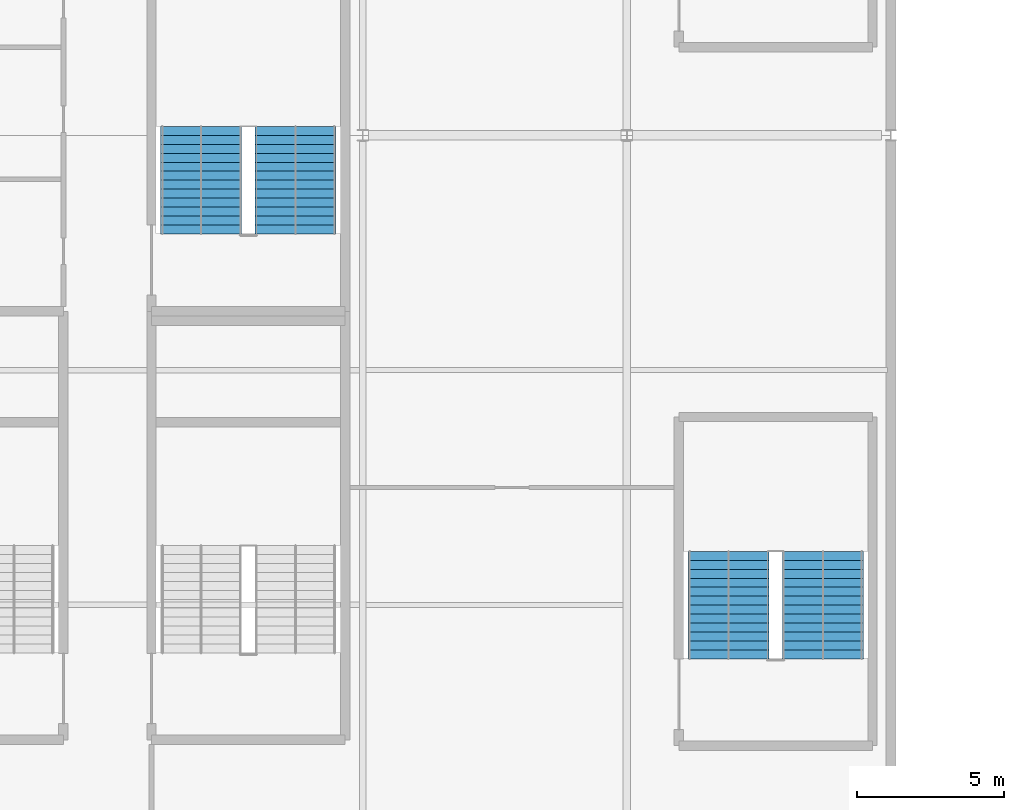
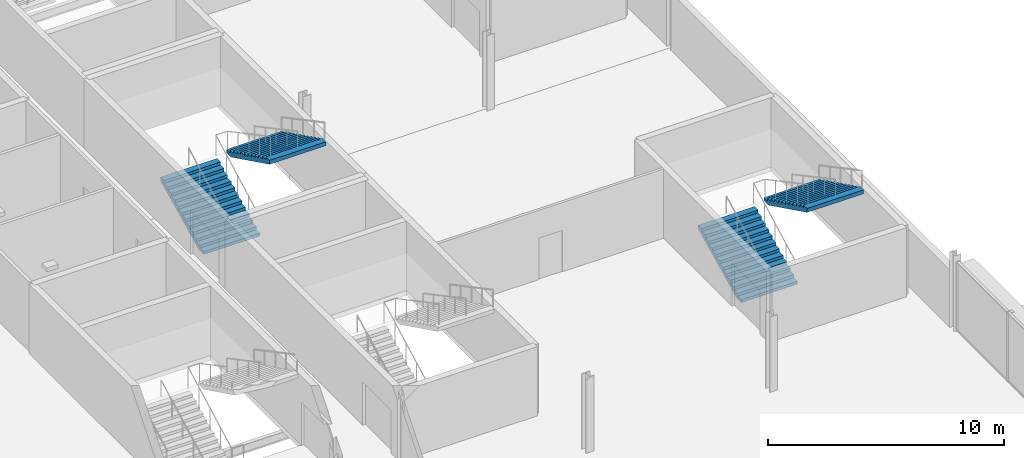
# One storey, part 90 of 105: 4 stair flights, 2 elements without a shape of their own.
"""IFC4 building model written with IfcOpenShell, lengths in metres."""

from ifc_helpers import new_model, si_unit, direction, frame, origin, place, context, subcontext, project, spatial, polygons, material, type_object, element, aggregate, save


model = new_model("IFC4")

# Units and contexts
model_context = context("Model", 3, precision=1e-05, world=origin(), true_north=direction((0.0, 1.0)))
body_context = subcontext(model_context, "Body", "Model", "MODEL_VIEW")
ifc_project = project(units=[si_unit("LENGTHUNIT", "METRE"), si_unit("AREAUNIT", "SQUARE_METRE"), si_unit("VOLUMEUNIT", "CUBIC_METRE"), si_unit("PLANEANGLEUNIT", "RADIAN"), si_unit("MASSUNIT", "GRAM", prefix="KILO")], contexts=[model_context])

# Site, building, storey
site_placement = place(None, origin())
site = spatial("IfcSite", under=ifc_project, at=site_placement, CompositionType="ELEMENT")
building_placement = place(site_placement, origin())
building = spatial("IfcBuilding", under=site, at=building_placement, Name="Kisiwana Market Hall", CompositionType="ELEMENT")
storey_placement = place(building_placement, frame((0.0, 0.0, 21.60009765625)))
storey = spatial("IfcBuildingStorey", under=building, at=storey_placement, Name="L04", CompositionType="ELEMENT", Elevation=21.60009765625)

# Stair, stair flights
ifc_material_1 = material(Name="Concrete C32/40", Category="concrete")
stair_type = type_object("IfcStairType", Name="ST-ESC-3900", PredefinedType="TWO_STRAIGHT_RUN_STAIR", material=ifc_material_1)
stair_1_placement = place(storey_placement, origin())
stair_1 = element("IfcStair", 1, at=stair_1_placement, inside=storey, type_object=stair_type, Name="Escape stair ST-W9-L04", PredefinedType="TWO_STRAIGHT_RUN_STAIR")
ifc_material_2 = material(Name="Concrete C32/40", Category="concrete")
stair_flight_type = type_object("IfcStairFlightType", Name="SF-ESC-3900", PredefinedType="STRAIGHT", material=ifc_material_2)
stair_flight_1_placement = place(storey_placement, frame((39.4599609375, 42.159912109375, 0.0), z_axis=(0.0, 0.0, 1.0), x_axis=(0.0, 1.0, 0.0)))
stair_flight_1 = element("IfcStairFlight", 2, at=stair_flight_1_placement, type_object=stair_flight_type, Name="ST-W9-L04 flight 1", NumberOfRisers=13, NumberOfTreads=12, PredefinedType="STRAIGHT", RiserHeight=0.15, TreadLength=0.305, context=body_context, shape_type="Tessellation", body=[
    polygons([(0.0, -1.380127, 0.0), (0.0, -0.690125, 0.0), (0.0, -0.000122, 0.0), (0.0, 0.68988, 0.0), (0.0, 1.379883, 0.0), (0.0, -1.380127, 0.149902), (0.0, -0.690125, 0.149902), (0.0, -0.000122, 0.149902), (0.0, 0.68988, 0.149902), (0.0, 1.379883, 0.149902), (0.304932, -1.380127, 0.149902), (0.304932, -0.690125, 0.149902), (0.304932, -0.000122, 0.149902), (0.304932, 0.68988, 0.149902), (0.304932, 1.379883, 0.149902), (0.304932, -1.380127, 0.300049), (0.304932, -0.690125, 0.300049), (0.304932, -0.000122, 0.300049), (0.304932, 0.68988, 0.300049), (0.304932, 1.379883, 0.300049), (0.610107, -1.380127, 0.300049), (0.610107, -0.690125, 0.300049), (0.610107, -0.000122, 0.300049), (0.610107, 0.68988, 0.300049), (0.610107, 1.379883, 0.300049), (0.610107, -1.380127, 0.449951), (0.610107, -0.690125, 0.449951), (0.610107, -0.000122, 0.449951), (0.610107, 0.68988, 0.449951), (0.610107, 1.379883, 0.449951), (0.915039, -1.380127, 0.449951), (0.915039, -0.690125, 0.449951), (0.915039, -0.000122, 0.449951), (0.915039, 0.68988, 0.449951), (0.915039, 1.379883, 0.449951), (0.915039, -1.380127, 0.600098), (0.915039, -0.690125, 0.600098), (0.915039, -0.000122, 0.600098), (0.915039, 0.68988, 0.600098), (0.915039, 1.379883, 0.600098), (1.219971, -1.380127, 0.600098), (1.219971, -0.690125, 0.600098), (1.219971, -0.000122, 0.600098), (1.219971, 0.68988, 0.600098), (1.219971, 1.379883, 0.600098), (1.219971, -1.380127, 0.75), (1.219971, -0.690125, 0.75), (1.219971, -0.000122, 0.75), (1.219971, 0.68988, 0.75), (1.219971, 1.379883, 0.75), (1.524902, -1.380127, 0.75), (1.524902, -0.690125, 0.75), (1.524902, -0.000122, 0.75), (1.524902, 0.68988, 0.75), (1.524902, 1.379883, 0.75), (1.524902, -1.380127, 0.899902), (1.524902, -0.690125, 0.899902), (1.524902, -0.000122, 0.899902), (1.524902, 0.68988, 0.899902), (1.524902, 1.379883, 0.899902), (1.830078, -1.380127, 0.899902), (1.830078, -0.690125, 0.899902), (1.830078, -0.000122, 0.899902), (1.830078, 0.68988, 0.899902), (1.830078, 1.379883, 0.899902), (1.830078, -1.380127, 1.050049), (1.830078, -0.690125, 1.050049), (1.830078, -0.000122, 1.050049), (1.830078, 0.68988, 1.050049), (1.830078, 1.379883, 1.050049), (2.13501, -1.380127, 1.050049), (2.13501, -0.690125, 1.050049), (2.13501, -0.000122, 1.050049), (2.13501, 0.68988, 1.050049), (2.13501, 1.379883, 1.050049), (2.13501, -1.380127, 1.199951), (2.13501, -0.690125, 1.199951), (2.13501, -0.000122, 1.199951), (2.13501, 0.68988, 1.199951), (2.13501, 1.379883, 1.199951), (2.439941, -1.380127, 1.199951), (2.439941, -0.690125, 1.199951), (2.439941, -0.000122, 1.199951), (2.439941, 0.68988, 1.199951), (2.439941, 1.379883, 1.199951), (2.439941, -1.380127, 1.350098), (2.439941, -0.690125, 1.350098), (2.439941, -0.000122, 1.350098), (2.439941, 0.68988, 1.350098), (2.439941, 1.379883, 1.350098), (2.745117, -1.380127, 1.350098), (2.745117, -0.690125, 1.350098), (2.745117, -0.000122, 1.350098), (2.745117, 0.68988, 1.350098), (2.745117, 1.379883, 1.350098), (2.745117, -1.380127, 1.5), (2.745117, -0.690125, 1.5), (2.745117, -0.000122, 1.5), (2.745117, 0.68988, 1.5), (2.745117, 1.379883, 1.5), (3.050049, -1.380127, 1.5), (3.050049, -0.690125, 1.5), (3.050049, -0.000122, 1.5), (3.050049, 0.68988, 1.5), (3.050049, 1.379883, 1.5), (3.050049, -1.380127, 1.649902), (3.050049, -0.690125, 1.649902), (3.050049, -0.000122, 1.649902), (3.050049, 0.68988, 1.649902), (3.050049, 1.379883, 1.649902), (3.35498, -1.380127, 1.649902), (3.35498, -0.690125, 1.649902), (3.35498, -0.000122, 1.649902), (3.35498, 0.68988, 1.649902), (3.35498, 1.379883, 1.649902), (3.35498, -1.380127, 1.800049), (3.35498, -0.690125, 1.800049), (3.35498, -0.000122, 1.800049), (3.35498, 0.68988, 1.800049), (3.35498, 1.379883, 1.800049), (3.659912, -1.380127, 1.800049), (3.659912, -0.690125, 1.800049), (3.659912, -0.000122, 1.800049), (3.659912, 0.68988, 1.800049), (3.659912, 1.379883, 1.800049), (3.659912, -1.380127, 1.599365), (3.659912, -0.690125, 1.599365), (3.659912, -0.000122, 1.599365), (3.659912, 0.68988, 1.599365), (3.659912, 1.379883, 1.599365), (0.407715, -1.380127, 0.0), (0.407715, -0.690125, 0.0), (0.407715, -0.000122, 0.0), (0.407715, 0.68988, 0.0), (0.407715, 1.379883, 0.0)], [[[1, 6, 7, 2]], [[2, 7, 8, 3]], [[3, 8, 9, 4]], [[4, 9, 10, 5]], [[6, 11, 12, 7]], [[7, 12, 13, 8]], [[8, 13, 14, 9]], [[9, 14, 15, 10]], [[11, 16, 17, 12]], [[12, 17, 18, 13]], [[13, 18, 19, 14]], [[14, 19, 20, 15]], [[16, 21, 22, 17]], [[17, 22, 23, 18]], [[18, 23, 24, 19]], [[19, 24, 25, 20]], [[21, 26, 27, 22]], [[22, 27, 28, 23]], [[23, 28, 29, 24]], [[24, 29, 30, 25]], [[26, 31, 32, 27]], [[27, 32, 33, 28]], [[28, 33, 34, 29]], [[29, 34, 35, 30]], [[31, 36, 37, 32]], [[32, 37, 38, 33]], [[33, 38, 39, 34]], [[34, 39, 40, 35]], [[36, 41, 42, 37]], [[37, 42, 43, 38]], [[38, 43, 44, 39]], [[39, 44, 45, 40]], [[41, 46, 47, 42]], [[42, 47, 48, 43]], [[43, 48, 49, 44]], [[44, 49, 50, 45]], [[46, 51, 52, 47]], [[47, 52, 53, 48]], [[48, 53, 54, 49]], [[49, 54, 55, 50]], [[51, 56, 57, 52]], [[52, 57, 58, 53]], [[53, 58, 59, 54]], [[54, 59, 60, 55]], [[56, 61, 62, 57]], [[57, 62, 63, 58]], [[58, 63, 64, 59]], [[59, 64, 65, 60]], [[61, 66, 67, 62]], [[62, 67, 68, 63]], [[63, 68, 69, 64]], [[64, 69, 70, 65]], [[66, 71, 72, 67]], [[67, 72, 73, 68]], [[68, 73, 74, 69]], [[69, 74, 75, 70]], [[71, 76, 77, 72]], [[72, 77, 78, 73]], [[73, 78, 79, 74]], [[74, 79, 80, 75]], [[76, 81, 82, 77]], [[77, 82, 83, 78]], [[78, 83, 84, 79]], [[79, 84, 85, 80]], [[81, 86, 87, 82]], [[82, 87, 88, 83]], [[83, 88, 89, 84]], [[84, 89, 90, 85]], [[86, 91, 92, 87]], [[87, 92, 93, 88]], [[88, 93, 94, 89]], [[89, 94, 95, 90]], [[91, 96, 97, 92]], [[92, 97, 98, 93]], [[93, 98, 99, 94]], [[94, 99, 100, 95]], [[96, 101, 102, 97]], [[97, 102, 103, 98]], [[98, 103, 104, 99]], [[99, 104, 105, 100]], [[101, 106, 107, 102]], [[102, 107, 108, 103]], [[103, 108, 109, 104]], [[104, 109, 110, 105]], [[106, 111, 112, 107]], [[107, 112, 113, 108]], [[108, 113, 114, 109]], [[109, 114, 115, 110]], [[111, 116, 117, 112]], [[112, 117, 118, 113]], [[113, 118, 119, 114]], [[114, 119, 120, 115]], [[116, 121, 122, 117]], [[117, 122, 123, 118]], [[118, 123, 124, 119]], [[119, 124, 125, 120]], [[121, 126, 127, 122]], [[122, 127, 128, 123]], [[123, 128, 129, 124]], [[124, 129, 130, 125]], [[126, 131, 132, 127]], [[127, 132, 133, 128]], [[128, 133, 134, 129]], [[129, 134, 135, 130]], [[131, 1, 2, 132]], [[132, 2, 3, 133]], [[133, 3, 4, 134]], [[134, 4, 5, 135]], [[131, 126, 121, 116, 111, 106, 101, 96, 91, 86, 81, 76, 71, 66, 61, 56, 51, 46, 41, 36, 31, 26, 21, 16, 11, 6, 1]], [[5, 10, 15, 20, 25, 30, 35, 40, 45, 50, 55, 60, 65, 70, 75, 80, 85, 90, 95, 100, 105, 110, 115, 120, 125, 130, 135]]], closed=True),
])
stair_flight_2_placement = place(storey_placement, frame((42.679931640625, 45.820068359375, 1.949951171875), z_axis=(0.0, 0.0, 1.0), x_axis=(0.0, -1.0, 0.0)))
stair_flight_2 = element("IfcStairFlight", 3, at=stair_flight_2_placement, type_object=stair_flight_type, Name="ST-W9-L04 flight 2", NumberOfRisers=13, NumberOfTreads=12, PredefinedType="STRAIGHT", RiserHeight=0.15, TreadLength=0.305, context=body_context, shape_type="Tessellation", body=[
    polygons([(0.0, -1.380127, 0.0), (0.0, -0.690125, 0.0), (0.0, -0.000122, 0.0), (0.0, 0.68988, 0.0), (0.0, 1.379883, 0.0), (0.0, -1.380127, 0.149902), (0.0, -0.690125, 0.149902), (0.0, -0.000122, 0.149902), (0.0, 0.68988, 0.149902), (0.0, 1.379883, 0.149902), (0.304932, -1.380127, 0.149902), (0.304932, -0.690125, 0.149902), (0.304932, -0.000122, 0.149902), (0.304932, 0.68988, 0.149902), (0.304932, 1.379883, 0.149902), (0.304932, -1.380127, 0.300049), (0.304932, -0.690125, 0.300049), (0.304932, -0.000122, 0.300049), (0.304932, 0.68988, 0.300049), (0.304932, 1.379883, 0.300049), (0.610107, -1.380127, 0.300049), (0.610107, -0.690125, 0.300049), (0.610107, -0.000122, 0.300049), (0.610107, 0.68988, 0.300049), (0.610107, 1.379883, 0.300049), (0.610107, -1.380127, 0.449951), (0.610107, -0.690125, 0.449951), (0.610107, -0.000122, 0.449951), (0.610107, 0.68988, 0.449951), (0.610107, 1.379883, 0.449951), (0.915039, -1.380127, 0.449951), (0.915039, -0.690125, 0.449951), (0.915039, -0.000122, 0.449951), (0.915039, 0.68988, 0.449951), (0.915039, 1.379883, 0.449951), (0.915039, -1.380127, 0.600098), (0.915039, -0.690125, 0.600098), (0.915039, -0.000122, 0.600098), (0.915039, 0.68988, 0.600098), (0.915039, 1.379883, 0.600098), (1.219971, -1.380127, 0.600098), (1.219971, -0.690125, 0.600098), (1.219971, -0.000122, 0.600098), (1.219971, 0.68988, 0.600098), (1.219971, 1.379883, 0.600098), (1.219971, -1.380127, 0.75), (1.219971, -0.690125, 0.75), (1.219971, -0.000122, 0.75), (1.219971, 0.68988, 0.75), (1.219971, 1.379883, 0.75), (1.524902, -1.380127, 0.75), (1.524902, -0.690125, 0.75), (1.524902, -0.000122, 0.75), (1.524902, 0.68988, 0.75), (1.524902, 1.379883, 0.75), (1.524902, -1.380127, 0.899902), (1.524902, -0.690125, 0.899902), (1.524902, -0.000122, 0.899902), (1.524902, 0.68988, 0.899902), (1.524902, 1.379883, 0.899902), (1.830078, -1.380127, 0.899902), (1.830078, -0.690125, 0.899902), (1.830078, -0.000122, 0.899902), (1.830078, 0.68988, 0.899902), (1.830078, 1.379883, 0.899902), (1.830078, -1.380127, 1.050049), (1.830078, -0.690125, 1.050049), (1.830078, -0.000122, 1.050049), (1.830078, 0.68988, 1.050049), (1.830078, 1.379883, 1.050049), (2.13501, -1.380127, 1.050049), (2.13501, -0.690125, 1.050049), (2.13501, -0.000122, 1.050049), (2.13501, 0.68988, 1.050049), (2.13501, 1.379883, 1.050049), (2.13501, -1.380127, 1.199951), (2.13501, -0.690125, 1.199951), (2.13501, -0.000122, 1.199951), (2.13501, 0.68988, 1.199951), (2.13501, 1.379883, 1.199951), (2.439941, -1.380127, 1.199951), (2.439941, -0.690125, 1.199951), (2.439941, -0.000122, 1.199951), (2.439941, 0.68988, 1.199951), (2.439941, 1.379883, 1.199951), (2.439941, -1.380127, 1.350098), (2.439941, -0.690125, 1.350098), (2.439941, -0.000122, 1.350098), (2.439941, 0.68988, 1.350098), (2.439941, 1.379883, 1.350098), (2.745117, -1.380127, 1.350098), (2.745117, -0.690125, 1.350098), (2.745117, -0.000122, 1.350098), (2.745117, 0.68988, 1.350098), (2.745117, 1.379883, 1.350098), (2.745117, -1.380127, 1.5), (2.745117, -0.690125, 1.5), (2.745117, -0.000122, 1.5), (2.745117, 0.68988, 1.5), (2.745117, 1.379883, 1.5), (3.050049, -1.380127, 1.5), (3.050049, -0.690125, 1.5), (3.050049, -0.000122, 1.5), (3.050049, 0.68988, 1.5), (3.050049, 1.379883, 1.5), (3.050049, -1.380127, 1.649902), (3.050049, -0.690125, 1.649902), (3.050049, -0.000122, 1.649902), (3.050049, 0.68988, 1.649902), (3.050049, 1.379883, 1.649902), (3.35498, -1.380127, 1.649902), (3.35498, -0.690125, 1.649902), (3.35498, -0.000122, 1.649902), (3.35498, 0.68988, 1.649902), (3.35498, 1.379883, 1.649902), (3.35498, -1.380127, 1.800049), (3.35498, -0.690125, 1.800049), (3.35498, -0.000122, 1.800049), (3.35498, 0.68988, 1.800049), (3.35498, 1.379883, 1.800049), (3.659912, -1.380127, 1.800049), (3.659912, -0.690125, 1.800049), (3.659912, -0.000122, 1.800049), (3.659912, 0.68988, 1.800049), (3.659912, 1.379883, 1.800049), (3.659912, -1.380127, 1.599365), (3.659912, -0.690125, 1.599365), (3.659912, -0.000122, 1.599365), (3.659912, 0.68988, 1.599365), (3.659912, 1.379883, 1.599365), (0.407715, -1.380127, 0.0), (0.407715, -0.690125, 0.0), (0.407715, -0.000122, 0.0), (0.407715, 0.68988, 0.0), (0.407715, 1.379883, 0.0)], [[[1, 6, 7, 2]], [[2, 7, 8, 3]], [[3, 8, 9, 4]], [[4, 9, 10, 5]], [[6, 11, 12, 7]], [[7, 12, 13, 8]], [[8, 13, 14, 9]], [[9, 14, 15, 10]], [[11, 16, 17, 12]], [[12, 17, 18, 13]], [[13, 18, 19, 14]], [[14, 19, 20, 15]], [[16, 21, 22, 17]], [[17, 22, 23, 18]], [[18, 23, 24, 19]], [[19, 24, 25, 20]], [[21, 26, 27, 22]], [[22, 27, 28, 23]], [[23, 28, 29, 24]], [[24, 29, 30, 25]], [[26, 31, 32, 27]], [[27, 32, 33, 28]], [[28, 33, 34, 29]], [[29, 34, 35, 30]], [[31, 36, 37, 32]], [[32, 37, 38, 33]], [[33, 38, 39, 34]], [[34, 39, 40, 35]], [[36, 41, 42, 37]], [[37, 42, 43, 38]], [[38, 43, 44, 39]], [[39, 44, 45, 40]], [[41, 46, 47, 42]], [[42, 47, 48, 43]], [[43, 48, 49, 44]], [[44, 49, 50, 45]], [[46, 51, 52, 47]], [[47, 52, 53, 48]], [[48, 53, 54, 49]], [[49, 54, 55, 50]], [[51, 56, 57, 52]], [[52, 57, 58, 53]], [[53, 58, 59, 54]], [[54, 59, 60, 55]], [[56, 61, 62, 57]], [[57, 62, 63, 58]], [[58, 63, 64, 59]], [[59, 64, 65, 60]], [[61, 66, 67, 62]], [[62, 67, 68, 63]], [[63, 68, 69, 64]], [[64, 69, 70, 65]], [[66, 71, 72, 67]], [[67, 72, 73, 68]], [[68, 73, 74, 69]], [[69, 74, 75, 70]], [[71, 76, 77, 72]], [[72, 77, 78, 73]], [[73, 78, 79, 74]], [[74, 79, 80, 75]], [[76, 81, 82, 77]], [[77, 82, 83, 78]], [[78, 83, 84, 79]], [[79, 84, 85, 80]], [[81, 86, 87, 82]], [[82, 87, 88, 83]], [[83, 88, 89, 84]], [[84, 89, 90, 85]], [[86, 91, 92, 87]], [[87, 92, 93, 88]], [[88, 93, 94, 89]], [[89, 94, 95, 90]], [[91, 96, 97, 92]], [[92, 97, 98, 93]], [[93, 98, 99, 94]], [[94, 99, 100, 95]], [[96, 101, 102, 97]], [[97, 102, 103, 98]], [[98, 103, 104, 99]], [[99, 104, 105, 100]], [[101, 106, 107, 102]], [[102, 107, 108, 103]], [[103, 108, 109, 104]], [[104, 109, 110, 105]], [[106, 111, 112, 107]], [[107, 112, 113, 108]], [[108, 113, 114, 109]], [[109, 114, 115, 110]], [[111, 116, 117, 112]], [[112, 117, 118, 113]], [[113, 118, 119, 114]], [[114, 119, 120, 115]], [[116, 121, 122, 117]], [[117, 122, 123, 118]], [[118, 123, 124, 119]], [[119, 124, 125, 120]], [[121, 126, 127, 122]], [[122, 127, 128, 123]], [[123, 128, 129, 124]], [[124, 129, 130, 125]], [[126, 131, 132, 127]], [[127, 132, 133, 128]], [[128, 133, 134, 129]], [[129, 134, 135, 130]], [[131, 1, 2, 132]], [[132, 2, 3, 133]], [[133, 3, 4, 134]], [[134, 4, 5, 135]], [[131, 126, 121, 116, 111, 106, 101, 96, 91, 86, 81, 76, 71, 66, 61, 56, 51, 46, 41, 36, 31, 26, 21, 16, 11, 6, 1]], [[5, 10, 15, 20, 25, 30, 35, 40, 45, 50, 55, 60, 65, 70, 75, 80, 85, 90, 95, 100, 105, 110, 115, 120, 125, 130, 135]]], closed=True),
])
aggregate(stair_1, [stair_flight_1, stair_flight_2])

stair_2_placement = place(storey_placement, origin())
stair_2 = element("IfcStair", 4, at=stair_2_placement, inside=storey, type_object=stair_type, Name="Escape stair ST-W5-L04", PredefinedType="TWO_STRAIGHT_RUN_STAIR")
stair_flight_3_placement = place(storey_placement, frame((21.489990234375, 56.639892578125, 0.0), z_axis=(0.0, 0.0, 1.0), x_axis=(0.0, 1.0, 0.0)))
stair_flight_3 = element("IfcStairFlight", 5, at=stair_flight_3_placement, type_object=stair_flight_type, Name="ST-W5-L04 flight 1", NumberOfRisers=13, NumberOfTreads=12, PredefinedType="STRAIGHT", RiserHeight=0.15, TreadLength=0.305, context=body_context, shape_type="Tessellation", body=[
    polygons([(0.0, -1.380127, 0.0), (0.0, -0.690125, 0.0), (0.0, -0.000122, 0.0), (0.0, 0.68988, 0.0), (0.0, 1.379883, 0.0), (0.0, -1.380127, 0.149902), (0.0, -0.690125, 0.149902), (0.0, -0.000122, 0.149902), (0.0, 0.68988, 0.149902), (0.0, 1.379883, 0.149902), (0.304932, -1.380127, 0.149902), (0.304932, -0.690125, 0.149902), (0.304932, -0.000122, 0.149902), (0.304932, 0.68988, 0.149902), (0.304932, 1.379883, 0.149902), (0.304932, -1.380127, 0.300049), (0.304932, -0.690125, 0.300049), (0.304932, -0.000122, 0.300049), (0.304932, 0.68988, 0.300049), (0.304932, 1.379883, 0.300049), (0.610107, -1.380127, 0.300049), (0.610107, -0.690125, 0.300049), (0.610107, -0.000122, 0.300049), (0.610107, 0.68988, 0.300049), (0.610107, 1.379883, 0.300049), (0.610107, -1.380127, 0.449951), (0.610107, -0.690125, 0.449951), (0.610107, -0.000122, 0.449951), (0.610107, 0.68988, 0.449951), (0.610107, 1.379883, 0.449951), (0.915039, -1.380127, 0.449951), (0.915039, -0.690125, 0.449951), (0.915039, -0.000122, 0.449951), (0.915039, 0.68988, 0.449951), (0.915039, 1.379883, 0.449951), (0.915039, -1.380127, 0.600098), (0.915039, -0.690125, 0.600098), (0.915039, -0.000122, 0.600098), (0.915039, 0.68988, 0.600098), (0.915039, 1.379883, 0.600098), (1.219971, -1.380127, 0.600098), (1.219971, -0.690125, 0.600098), (1.219971, -0.000122, 0.600098), (1.219971, 0.68988, 0.600098), (1.219971, 1.379883, 0.600098), (1.219971, -1.380127, 0.75), (1.219971, -0.690125, 0.75), (1.219971, -0.000122, 0.75), (1.219971, 0.68988, 0.75), (1.219971, 1.379883, 0.75), (1.524902, -1.380127, 0.75), (1.524902, -0.690125, 0.75), (1.524902, -0.000122, 0.75), (1.524902, 0.68988, 0.75), (1.524902, 1.379883, 0.75), (1.524902, -1.380127, 0.899902), (1.524902, -0.690125, 0.899902), (1.524902, -0.000122, 0.899902), (1.524902, 0.68988, 0.899902), (1.524902, 1.379883, 0.899902), (1.830078, -1.380127, 0.899902), (1.830078, -0.690125, 0.899902), (1.830078, -0.000122, 0.899902), (1.830078, 0.68988, 0.899902), (1.830078, 1.379883, 0.899902), (1.830078, -1.380127, 1.050049), (1.830078, -0.690125, 1.050049), (1.830078, -0.000122, 1.050049), (1.830078, 0.68988, 1.050049), (1.830078, 1.379883, 1.050049), (2.13501, -1.380127, 1.050049), (2.13501, -0.690125, 1.050049), (2.13501, -0.000122, 1.050049), (2.13501, 0.68988, 1.050049), (2.13501, 1.379883, 1.050049), (2.13501, -1.380127, 1.199951), (2.13501, -0.690125, 1.199951), (2.13501, -0.000122, 1.199951), (2.13501, 0.68988, 1.199951), (2.13501, 1.379883, 1.199951), (2.439941, -1.380127, 1.199951), (2.439941, -0.690125, 1.199951), (2.439941, -0.000122, 1.199951), (2.439941, 0.68988, 1.199951), (2.439941, 1.379883, 1.199951), (2.439941, -1.380127, 1.350098), (2.439941, -0.690125, 1.350098), (2.439941, -0.000122, 1.350098), (2.439941, 0.68988, 1.350098), (2.439941, 1.379883, 1.350098), (2.745117, -1.380127, 1.350098), (2.745117, -0.690125, 1.350098), (2.745117, -0.000122, 1.350098), (2.745117, 0.68988, 1.350098), (2.745117, 1.379883, 1.350098), (2.745117, -1.380127, 1.5), (2.745117, -0.690125, 1.5), (2.745117, -0.000122, 1.5), (2.745117, 0.68988, 1.5), (2.745117, 1.379883, 1.5), (3.050049, -1.380127, 1.5), (3.050049, -0.690125, 1.5), (3.050049, -0.000122, 1.5), (3.050049, 0.68988, 1.5), (3.050049, 1.379883, 1.5), (3.050049, -1.380127, 1.649902), (3.050049, -0.690125, 1.649902), (3.050049, -0.000122, 1.649902), (3.050049, 0.68988, 1.649902), (3.050049, 1.379883, 1.649902), (3.35498, -1.380127, 1.649902), (3.35498, -0.690125, 1.649902), (3.35498, -0.000122, 1.649902), (3.35498, 0.68988, 1.649902), (3.35498, 1.379883, 1.649902), (3.35498, -1.380127, 1.800049), (3.35498, -0.690125, 1.800049), (3.35498, -0.000122, 1.800049), (3.35498, 0.68988, 1.800049), (3.35498, 1.379883, 1.800049), (3.659912, -1.380127, 1.800049), (3.659912, -0.690125, 1.800049), (3.659912, -0.000122, 1.800049), (3.659912, 0.68988, 1.800049), (3.659912, 1.379883, 1.800049), (3.659912, -1.380127, 1.599365), (3.659912, -0.690125, 1.599365), (3.659912, -0.000122, 1.599365), (3.659912, 0.68988, 1.599365), (3.659912, 1.379883, 1.599365), (0.407715, -1.380127, 0.0), (0.407715, -0.690125, 0.0), (0.407715, -0.000122, 0.0), (0.407715, 0.68988, 0.0), (0.407715, 1.379883, 0.0)], [[[1, 6, 7, 2]], [[2, 7, 8, 3]], [[3, 8, 9, 4]], [[4, 9, 10, 5]], [[6, 11, 12, 7]], [[7, 12, 13, 8]], [[8, 13, 14, 9]], [[9, 14, 15, 10]], [[11, 16, 17, 12]], [[12, 17, 18, 13]], [[13, 18, 19, 14]], [[14, 19, 20, 15]], [[16, 21, 22, 17]], [[17, 22, 23, 18]], [[18, 23, 24, 19]], [[19, 24, 25, 20]], [[21, 26, 27, 22]], [[22, 27, 28, 23]], [[23, 28, 29, 24]], [[24, 29, 30, 25]], [[26, 31, 32, 27]], [[27, 32, 33, 28]], [[28, 33, 34, 29]], [[29, 34, 35, 30]], [[31, 36, 37, 32]], [[32, 37, 38, 33]], [[33, 38, 39, 34]], [[34, 39, 40, 35]], [[36, 41, 42, 37]], [[37, 42, 43, 38]], [[38, 43, 44, 39]], [[39, 44, 45, 40]], [[41, 46, 47, 42]], [[42, 47, 48, 43]], [[43, 48, 49, 44]], [[44, 49, 50, 45]], [[46, 51, 52, 47]], [[47, 52, 53, 48]], [[48, 53, 54, 49]], [[49, 54, 55, 50]], [[51, 56, 57, 52]], [[52, 57, 58, 53]], [[53, 58, 59, 54]], [[54, 59, 60, 55]], [[56, 61, 62, 57]], [[57, 62, 63, 58]], [[58, 63, 64, 59]], [[59, 64, 65, 60]], [[61, 66, 67, 62]], [[62, 67, 68, 63]], [[63, 68, 69, 64]], [[64, 69, 70, 65]], [[66, 71, 72, 67]], [[67, 72, 73, 68]], [[68, 73, 74, 69]], [[69, 74, 75, 70]], [[71, 76, 77, 72]], [[72, 77, 78, 73]], [[73, 78, 79, 74]], [[74, 79, 80, 75]], [[76, 81, 82, 77]], [[77, 82, 83, 78]], [[78, 83, 84, 79]], [[79, 84, 85, 80]], [[81, 86, 87, 82]], [[82, 87, 88, 83]], [[83, 88, 89, 84]], [[84, 89, 90, 85]], [[86, 91, 92, 87]], [[87, 92, 93, 88]], [[88, 93, 94, 89]], [[89, 94, 95, 90]], [[91, 96, 97, 92]], [[92, 97, 98, 93]], [[93, 98, 99, 94]], [[94, 99, 100, 95]], [[96, 101, 102, 97]], [[97, 102, 103, 98]], [[98, 103, 104, 99]], [[99, 104, 105, 100]], [[101, 106, 107, 102]], [[102, 107, 108, 103]], [[103, 108, 109, 104]], [[104, 109, 110, 105]], [[106, 111, 112, 107]], [[107, 112, 113, 108]], [[108, 113, 114, 109]], [[109, 114, 115, 110]], [[111, 116, 117, 112]], [[112, 117, 118, 113]], [[113, 118, 119, 114]], [[114, 119, 120, 115]], [[116, 121, 122, 117]], [[117, 122, 123, 118]], [[118, 123, 124, 119]], [[119, 124, 125, 120]], [[121, 126, 127, 122]], [[122, 127, 128, 123]], [[123, 128, 129, 124]], [[124, 129, 130, 125]], [[126, 131, 132, 127]], [[127, 132, 133, 128]], [[128, 133, 134, 129]], [[129, 134, 135, 130]], [[131, 1, 2, 132]], [[132, 2, 3, 133]], [[133, 3, 4, 134]], [[134, 4, 5, 135]], [[131, 126, 121, 116, 111, 106, 101, 96, 91, 86, 81, 76, 71, 66, 61, 56, 51, 46, 41, 36, 31, 26, 21, 16, 11, 6, 1]], [[5, 10, 15, 20, 25, 30, 35, 40, 45, 50, 55, 60, 65, 70, 75, 80, 85, 90, 95, 100, 105, 110, 115, 120, 125, 130, 135]]], closed=True),
])
stair_flight_4_placement = place(storey_placement, frame((24.7099609375, 60.300048828125, 1.949951171875), z_axis=(0.0, 0.0, 1.0), x_axis=(0.0, -1.0, 0.0)))
stair_flight_4 = element("IfcStairFlight", 6, at=stair_flight_4_placement, type_object=stair_flight_type, Name="ST-W5-L04 flight 2", NumberOfRisers=13, NumberOfTreads=12, PredefinedType="STRAIGHT", RiserHeight=0.15, TreadLength=0.305, context=body_context, shape_type="Tessellation", body=[
    polygons([(0.0, -1.380127, 0.0), (0.0, -0.690125, 0.0), (0.0, -0.000122, 0.0), (0.0, 0.68988, 0.0), (0.0, 1.379883, 0.0), (0.0, -1.380127, 0.149902), (0.0, -0.690125, 0.149902), (0.0, -0.000122, 0.149902), (0.0, 0.68988, 0.149902), (0.0, 1.379883, 0.149902), (0.304932, -1.380127, 0.149902), (0.304932, -0.690125, 0.149902), (0.304932, -0.000122, 0.149902), (0.304932, 0.68988, 0.149902), (0.304932, 1.379883, 0.149902), (0.304932, -1.380127, 0.300049), (0.304932, -0.690125, 0.300049), (0.304932, -0.000122, 0.300049), (0.304932, 0.68988, 0.300049), (0.304932, 1.379883, 0.300049), (0.610107, -1.380127, 0.300049), (0.610107, -0.690125, 0.300049), (0.610107, -0.000122, 0.300049), (0.610107, 0.68988, 0.300049), (0.610107, 1.379883, 0.300049), (0.610107, -1.380127, 0.449951), (0.610107, -0.690125, 0.449951), (0.610107, -0.000122, 0.449951), (0.610107, 0.68988, 0.449951), (0.610107, 1.379883, 0.449951), (0.915039, -1.380127, 0.449951), (0.915039, -0.690125, 0.449951), (0.915039, -0.000122, 0.449951), (0.915039, 0.68988, 0.449951), (0.915039, 1.379883, 0.449951), (0.915039, -1.380127, 0.600098), (0.915039, -0.690125, 0.600098), (0.915039, -0.000122, 0.600098), (0.915039, 0.68988, 0.600098), (0.915039, 1.379883, 0.600098), (1.219971, -1.380127, 0.600098), (1.219971, -0.690125, 0.600098), (1.219971, -0.000122, 0.600098), (1.219971, 0.68988, 0.600098), (1.219971, 1.379883, 0.600098), (1.219971, -1.380127, 0.75), (1.219971, -0.690125, 0.75), (1.219971, -0.000122, 0.75), (1.219971, 0.68988, 0.75), (1.219971, 1.379883, 0.75), (1.524902, -1.380127, 0.75), (1.524902, -0.690125, 0.75), (1.524902, -0.000122, 0.75), (1.524902, 0.68988, 0.75), (1.524902, 1.379883, 0.75), (1.524902, -1.380127, 0.899902), (1.524902, -0.690125, 0.899902), (1.524902, -0.000122, 0.899902), (1.524902, 0.68988, 0.899902), (1.524902, 1.379883, 0.899902), (1.830078, -1.380127, 0.899902), (1.830078, -0.690125, 0.899902), (1.830078, -0.000122, 0.899902), (1.830078, 0.68988, 0.899902), (1.830078, 1.379883, 0.899902), (1.830078, -1.380127, 1.050049), (1.830078, -0.690125, 1.050049), (1.830078, -0.000122, 1.050049), (1.830078, 0.68988, 1.050049), (1.830078, 1.379883, 1.050049), (2.13501, -1.380127, 1.050049), (2.13501, -0.690125, 1.050049), (2.13501, -0.000122, 1.050049), (2.13501, 0.68988, 1.050049), (2.13501, 1.379883, 1.050049), (2.13501, -1.380127, 1.199951), (2.13501, -0.690125, 1.199951), (2.13501, -0.000122, 1.199951), (2.13501, 0.68988, 1.199951), (2.13501, 1.379883, 1.199951), (2.439941, -1.380127, 1.199951), (2.439941, -0.690125, 1.199951), (2.439941, -0.000122, 1.199951), (2.439941, 0.68988, 1.199951), (2.439941, 1.379883, 1.199951), (2.439941, -1.380127, 1.350098), (2.439941, -0.690125, 1.350098), (2.439941, -0.000122, 1.350098), (2.439941, 0.68988, 1.350098), (2.439941, 1.379883, 1.350098), (2.745117, -1.380127, 1.350098), (2.745117, -0.690125, 1.350098), (2.745117, -0.000122, 1.350098), (2.745117, 0.68988, 1.350098), (2.745117, 1.379883, 1.350098), (2.745117, -1.380127, 1.5), (2.745117, -0.690125, 1.5), (2.745117, -0.000122, 1.5), (2.745117, 0.68988, 1.5), (2.745117, 1.379883, 1.5), (3.050049, -1.380127, 1.5), (3.050049, -0.690125, 1.5), (3.050049, -0.000122, 1.5), (3.050049, 0.68988, 1.5), (3.050049, 1.379883, 1.5), (3.050049, -1.380127, 1.649902), (3.050049, -0.690125, 1.649902), (3.050049, -0.000122, 1.649902), (3.050049, 0.68988, 1.649902), (3.050049, 1.379883, 1.649902), (3.35498, -1.380127, 1.649902), (3.35498, -0.690125, 1.649902), (3.35498, -0.000122, 1.649902), (3.35498, 0.68988, 1.649902), (3.35498, 1.379883, 1.649902), (3.35498, -1.380127, 1.800049), (3.35498, -0.690125, 1.800049), (3.35498, -0.000122, 1.800049), (3.35498, 0.68988, 1.800049), (3.35498, 1.379883, 1.800049), (3.659912, -1.380127, 1.800049), (3.659912, -0.690125, 1.800049), (3.659912, -0.000122, 1.800049), (3.659912, 0.68988, 1.800049), (3.659912, 1.379883, 1.800049), (3.659912, -1.380127, 1.599365), (3.659912, -0.690125, 1.599365), (3.659912, -0.000122, 1.599365), (3.659912, 0.68988, 1.599365), (3.659912, 1.379883, 1.599365), (0.407715, -1.380127, 0.0), (0.407715, -0.690125, 0.0), (0.407715, -0.000122, 0.0), (0.407715, 0.68988, 0.0), (0.407715, 1.379883, 0.0)], [[[1, 6, 7, 2]], [[2, 7, 8, 3]], [[3, 8, 9, 4]], [[4, 9, 10, 5]], [[6, 11, 12, 7]], [[7, 12, 13, 8]], [[8, 13, 14, 9]], [[9, 14, 15, 10]], [[11, 16, 17, 12]], [[12, 17, 18, 13]], [[13, 18, 19, 14]], [[14, 19, 20, 15]], [[16, 21, 22, 17]], [[17, 22, 23, 18]], [[18, 23, 24, 19]], [[19, 24, 25, 20]], [[21, 26, 27, 22]], [[22, 27, 28, 23]], [[23, 28, 29, 24]], [[24, 29, 30, 25]], [[26, 31, 32, 27]], [[27, 32, 33, 28]], [[28, 33, 34, 29]], [[29, 34, 35, 30]], [[31, 36, 37, 32]], [[32, 37, 38, 33]], [[33, 38, 39, 34]], [[34, 39, 40, 35]], [[36, 41, 42, 37]], [[37, 42, 43, 38]], [[38, 43, 44, 39]], [[39, 44, 45, 40]], [[41, 46, 47, 42]], [[42, 47, 48, 43]], [[43, 48, 49, 44]], [[44, 49, 50, 45]], [[46, 51, 52, 47]], [[47, 52, 53, 48]], [[48, 53, 54, 49]], [[49, 54, 55, 50]], [[51, 56, 57, 52]], [[52, 57, 58, 53]], [[53, 58, 59, 54]], [[54, 59, 60, 55]], [[56, 61, 62, 57]], [[57, 62, 63, 58]], [[58, 63, 64, 59]], [[59, 64, 65, 60]], [[61, 66, 67, 62]], [[62, 67, 68, 63]], [[63, 68, 69, 64]], [[64, 69, 70, 65]], [[66, 71, 72, 67]], [[67, 72, 73, 68]], [[68, 73, 74, 69]], [[69, 74, 75, 70]], [[71, 76, 77, 72]], [[72, 77, 78, 73]], [[73, 78, 79, 74]], [[74, 79, 80, 75]], [[76, 81, 82, 77]], [[77, 82, 83, 78]], [[78, 83, 84, 79]], [[79, 84, 85, 80]], [[81, 86, 87, 82]], [[82, 87, 88, 83]], [[83, 88, 89, 84]], [[84, 89, 90, 85]], [[86, 91, 92, 87]], [[87, 92, 93, 88]], [[88, 93, 94, 89]], [[89, 94, 95, 90]], [[91, 96, 97, 92]], [[92, 97, 98, 93]], [[93, 98, 99, 94]], [[94, 99, 100, 95]], [[96, 101, 102, 97]], [[97, 102, 103, 98]], [[98, 103, 104, 99]], [[99, 104, 105, 100]], [[101, 106, 107, 102]], [[102, 107, 108, 103]], [[103, 108, 109, 104]], [[104, 109, 110, 105]], [[106, 111, 112, 107]], [[107, 112, 113, 108]], [[108, 113, 114, 109]], [[109, 114, 115, 110]], [[111, 116, 117, 112]], [[112, 117, 118, 113]], [[113, 118, 119, 114]], [[114, 119, 120, 115]], [[116, 121, 122, 117]], [[117, 122, 123, 118]], [[118, 123, 124, 119]], [[119, 124, 125, 120]], [[121, 126, 127, 122]], [[122, 127, 128, 123]], [[123, 128, 129, 124]], [[124, 129, 130, 125]], [[126, 131, 132, 127]], [[127, 132, 133, 128]], [[128, 133, 134, 129]], [[129, 134, 135, 130]], [[131, 1, 2, 132]], [[132, 2, 3, 133]], [[133, 3, 4, 134]], [[134, 4, 5, 135]], [[131, 126, 121, 116, 111, 106, 101, 96, 91, 86, 81, 76, 71, 66, 61, 56, 51, 46, 41, 36, 31, 26, 21, 16, 11, 6, 1]], [[5, 10, 15, 20, 25, 30, 35, 40, 45, 50, 55, 60, 65, 70, 75, 80, 85, 90, 95, 100, 105, 110, 115, 120, 125, 130, 135]]], closed=True),
])
aggregate(stair_2, [stair_flight_3, stair_flight_4])

save(model, "model.ifc")
